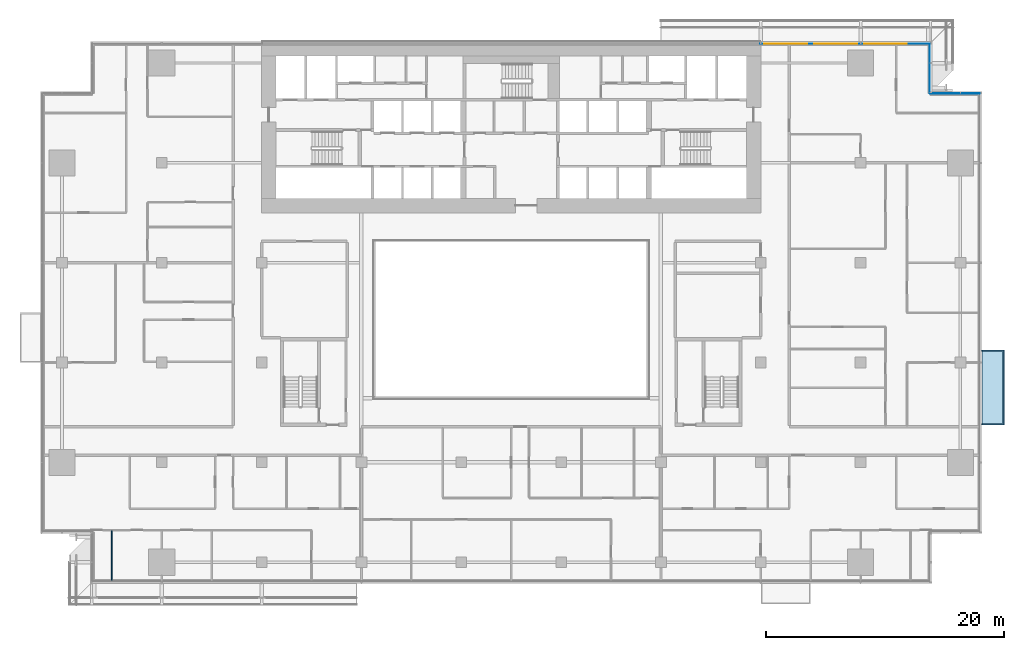
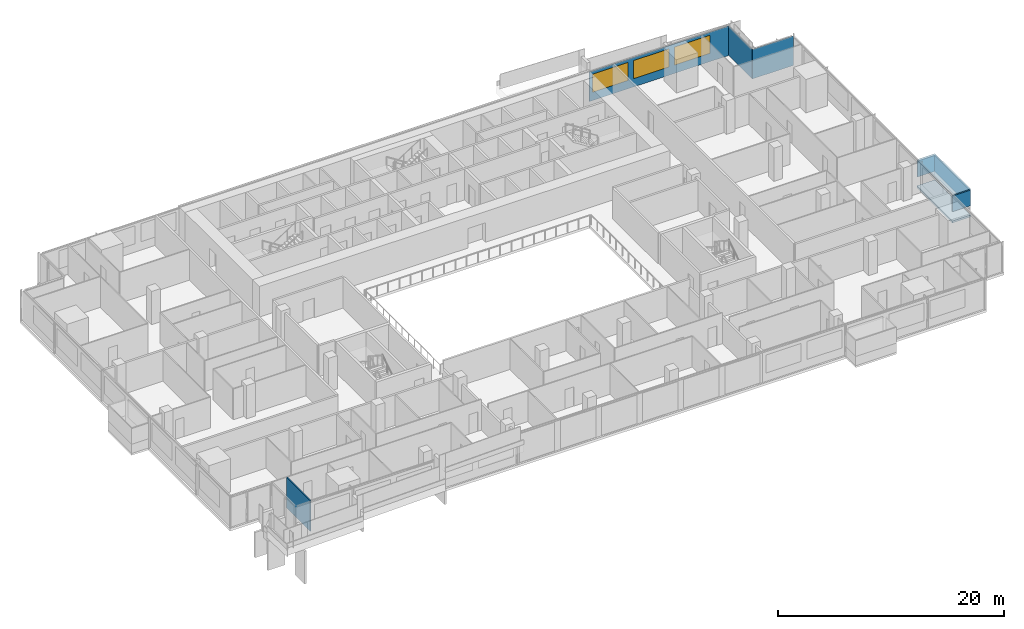
# One storey, part 16 of 29: 5 plates, 3 windows, 1 slab, 1 wall, 3 openings, 3 elements without a shape of their own.
"""IFC4 building model written with IfcOpenShell, lengths in metres."""

from ifc_helpers import new_model, si_unit, direction, frame, frame_2d, origin, place, context, subcontext, project, spatial, polyline, rectangle, outline, extrude, material, layer, layer_set, type_object, element, fill, aggregate, save


model = new_model("IFC4")

# Units and contexts
model_context = context("Model", 3, precision=1e-05, world=origin(), true_north=direction((0.0, 1.0)))
body_context = subcontext(model_context, "Body", "Model", "MODEL_VIEW")
ifc_project = project(units=[si_unit("LENGTHUNIT", "METRE"), si_unit("AREAUNIT", "SQUARE_METRE"), si_unit("VOLUMEUNIT", "CUBIC_METRE"), si_unit("PLANEANGLEUNIT", "RADIAN"), si_unit("MASSUNIT", "GRAM", prefix="KILO")], contexts=[model_context])

# Site, building, storey
site_placement = place(None, origin())
site = spatial("IfcSite", under=ifc_project, at=site_placement, CompositionType="ELEMENT")
building_placement = place(site_placement, origin())
building = spatial("IfcBuilding", under=site, at=building_placement, Name="Saffron Gate Tower", CompositionType="ELEMENT")
storey_placement = place(building_placement, frame((0.0, 0.0, 58.800048828125)))
storey = spatial("IfcBuildingStorey", under=building, at=storey_placement, Name="L13", CompositionType="ELEMENT", Elevation=58.800048828125)

# Curtain wall, plate, openings, windows
ifc_material_1 = material(Name="Aluminium, bronze anodised", Category="aluminium")
curtain_wall_type_1 = type_object("IfcCurtainWallType", Name="CWS3 curtain wall rear facade", PredefinedType="NOTDEFINED", material=ifc_material_1)
curtain_wall_1_placement = place(storey_placement, origin())
curtain_wall_1 = element("IfcCurtainWall", 1, at=curtain_wall_1_placement, inside=storey, type_object=curtain_wall_type_1, Name="CWS3 run 7", PredefinedType="NOTDEFINED")
ifc_material_2 = material(Name="Fritted grey-tinted laminated glass", Category="glass")
ifc_layer_1 = layer(ifc_material_2, 0.028076171875)
ifc_layer_set_1 = layer_set([ifc_layer_1], Name="CWS3 fixed glass")
plate_type_1 = type_object("IfcPlateType", Name="CWS3 fixed glass", PredefinedType="CURTAIN_PANEL", material=ifc_layer_set_1)
plate_1_placement = place(storey_placement, frame((122.81201171875, 75.426025390625, 0.0), z_axis=(0.0, 0.0, 1.0), x_axis=(-1.0, 0.0, 0.0)))
plate_1 = element("IfcPlate", 2, at=plate_1_placement, type_object=plate_type_1, Name="CWS3 glass panel", PredefinedType="CURTAIN_PANEL", context=body_context, shape_type="SweptSolid", body=[
    extrude(rectangle(XDim=14.2470703125, YDim=0.028076171875, at=frame_2d((7.12353515625, 0.0))), origin(), (0.0, 0.0, 1.0), 3.199951171875),
])
opening_1_placement = place(plate_1_placement, frame((1.912109375, 0.0, 0.89990234375)))
opening_1 = element("IfcOpeningElement", 3, at=opening_1_placement, cuts=plate_1, Name="Opening W1", PredefinedType="OPENING", context=body_context, shape_type="SweptSolid", body=[
    extrude(rectangle(XDim=3.60009765625, YDim=1.949951171875, at=frame_2d((1.800048828125, 0.97509765625))), frame((0.0, 0.02392578125, 0.0), z_axis=(0.0, -1.0, 0.0), x_axis=(1.0, 0.0, 0.0)), (0.0, 0.0, 1.0), 0.048095703125),
])
opening_2_placement = place(plate_1_placement, frame((6.112060546875, 0.0, 0.89990234375)))
opening_2 = element("IfcOpeningElement", 4, at=opening_2_placement, cuts=plate_1, Name="Opening W1", PredefinedType="OPENING", context=body_context, shape_type="SweptSolid", body=[
    extrude(rectangle(XDim=3.60009765625, YDim=1.949951171875, at=frame_2d((1.800048828125, 0.97509765625))), frame((0.0, 0.02392578125, 0.0), z_axis=(0.0, -1.0, 0.0), x_axis=(1.0, 0.0, 0.0)), (0.0, 0.0, 1.0), 0.048095703125),
])
opening_3_placement = place(plate_1_placement, frame((10.31201171875, 0.0, 0.89990234375)))
opening_3 = element("IfcOpeningElement", 5, at=opening_3_placement, cuts=plate_1, Name="Opening W1", PredefinedType="OPENING", context=body_context, shape_type="SweptSolid", body=[
    extrude(rectangle(XDim=3.60009765625, YDim=1.949951171875, at=frame_2d((1.800048828125, 0.97509765625))), frame((0.0, 0.02392578125, 0.0), z_axis=(0.0, -1.0, 0.0), x_axis=(1.0, 0.0, 0.0)), (0.0, 0.0, 1.0), 0.048095703125),
])
ifc_material_3 = material(Name="Fritted bronze-tinted laminated glass in bronze frame", Category="glass")
ifc_layer_2 = layer(ifc_material_3, 0.06005859375)
ifc_layer_set_2 = layer_set([ifc_layer_2], Name="W1 operable panel 3600x1950")
window_type = type_object("IfcWindowType", Name="W1 operable panel 3600x1950", PartitioningType="DOUBLE_PANEL_HORIZONTAL", PredefinedType="WINDOW", material=ifc_layer_set_2)
window_1_placement = place(opening_1_placement, origin())
window_1 = element("IfcWindow", 6, at=window_1_placement, type_object=window_type, Name="W1 operable panel", OverallHeight=1.949951171875, OverallWidth=3.60009765625, PartitioningType="SINGLE_PANEL", PredefinedType="WINDOW", context=body_context, shape_type="SweptSolid", body=[
    extrude(rectangle(XDim=3.60009765625, YDim=1.949951171875, at=frame_2d((1.800048828125, 0.97509765625))), frame((0.0, 0.013671875, 0.0), z_axis=(0.0, -1.0, 0.0), x_axis=(1.0, 0.0, 0.0)), (0.0, 0.0, 1.0), 0.027587890625),
])
fill(opening_1, window_1)
window_2_placement = place(opening_2_placement, origin())
window_2 = element("IfcWindow", 7, at=window_2_placement, type_object=window_type, Name="W1 operable panel", OverallHeight=1.949951171875, OverallWidth=3.60009765625, PartitioningType="SINGLE_PANEL", PredefinedType="WINDOW", context=body_context, shape_type="SweptSolid", body=[
    extrude(rectangle(XDim=3.60009765625, YDim=1.949951171875, at=frame_2d((1.800048828125, 0.97509765625))), frame((0.0, 0.013671875, 0.0), z_axis=(0.0, -1.0, 0.0), x_axis=(1.0, 0.0, 0.0)), (0.0, 0.0, 1.0), 0.027587890625),
])
fill(opening_2, window_2)
window_3_placement = place(opening_3_placement, origin())
window_3 = element("IfcWindow", 8, at=window_3_placement, type_object=window_type, Name="W1 operable panel", OverallHeight=1.949951171875, OverallWidth=3.60009765625, PartitioningType="SINGLE_PANEL", PredefinedType="WINDOW", context=body_context, shape_type="SweptSolid", body=[
    extrude(rectangle(XDim=3.60009765625, YDim=1.949951171875, at=frame_2d((1.800048828125, 0.97509765625))), frame((0.0, 0.013671875, 0.0), z_axis=(0.0, -1.0, 0.0), x_axis=(1.0, 0.0, 0.0)), (0.0, 0.0, 1.0), 0.027587890625),
])
fill(opening_3, window_3)
aggregate(curtain_wall_1, [plate_1, window_1, window_2, window_3])

# Curtain wall, plate
curtain_wall_type_2 = type_object("IfcCurtainWallType", Name="CWS4 curtain wall corner returns", PredefinedType="NOTDEFINED", material=ifc_material_1)
curtain_wall_2_placement = place(storey_placement, origin())
curtain_wall_2 = element("IfcCurtainWall", 9, at=curtain_wall_2_placement, inside=storey, type_object=curtain_wall_type_2, Name="CWS4 run 5", PredefinedType="NOTDEFINED")
ifc_material_4 = material(Name="Fritted bronze-tinted laminated glass", Category="glass")
ifc_layer_3 = layer(ifc_material_4, 0.028076171875)
ifc_layer_set_3 = layer_set([ifc_layer_3], Name="CWS4 fixed glass")
plate_type_2 = type_object("IfcPlateType", Name="CWS4 fixed glass", PredefinedType="CURTAIN_PANEL", material=ifc_layer_set_3)
plate_2_placement = place(storey_placement, frame((127.011962890625, 71.22607421875, 0.0), z_axis=(0.0, 0.0, 1.0), x_axis=(-1.0, 0.0, 0.0)))
plate_2 = element("IfcPlate", 10, at=plate_2_placement, type_object=plate_type_2, Name="CWS4 glass panel", PredefinedType="CURTAIN_PANEL", context=body_context, shape_type="SweptSolid", body=[
    extrude(rectangle(XDim=4.171875, YDim=0.028076171875, at=frame_2d((2.0859375, 0.0))), origin(), (0.0, 0.0, 1.0), 3.199951171875),
])
aggregate(curtain_wall_2, [plate_2])

curtain_wall_3_placement = place(storey_placement, origin())
curtain_wall_3 = element("IfcCurtainWall", 11, at=curtain_wall_3_placement, inside=storey, type_object=curtain_wall_type_2, Name="CWS4 run 6", PredefinedType="NOTDEFINED")
plate_3_placement = place(storey_placement, frame((122.825927734375, 71.239990234375, 0.0), z_axis=(0.0, 0.0, 1.0), x_axis=(0.0, 1.0, 0.0)))
plate_3 = element("IfcPlate", 12, at=plate_3_placement, type_object=plate_type_2, Name="CWS4 glass panel", PredefinedType="CURTAIN_PANEL", context=body_context, shape_type="SweptSolid", body=[
    extrude(rectangle(XDim=4.172119140625, YDim=0.028076171875, at=frame_2d((2.0859375, 0.0))), origin(), (0.0, 0.0, 1.0), 3.199951171875),
])
aggregate(curtain_wall_3, [plate_3])

# Slab
ifc_material_5 = material(Name="Timber deck on bronze frame", Category="wood")
ifc_layer_4 = layer(ifc_material_5, 0.199951171875)
ifc_layer_set_4 = layer_set([ifc_layer_4], Name="WB1 box floor")
slab_type = type_object("IfcSlabType", Name="WB1 box floor", PredefinedType="FLOOR", material=ifc_layer_set_4)
slab_placement = place(storey_placement, frame((0.0, 0.0, -0.199951171875)))
element("IfcSlab", 13, at=slab_placement, inside=storey, type_object=slab_type, Name="WINDOW BOX floor", PredefinedType="FLOOR", context=body_context, shape_type="SweptSolid", body=[
    extrude(outline(polyline([(127.199951171875, 43.35009765625), (127.199951171875, 49.64990234375), (129.06689453125, 49.64990234375), (129.06689453125, 43.35009765625), (127.199951171875, 43.35009765625)])), origin(), (0.0, 0.0, 1.0), 0.199951171875),
])

# Plates
ifc_layer_5 = layer(ifc_material_1, 0.1201171875)
ifc_layer_set_5 = layer_set([ifc_layer_5], Name="WB2 box roof")
plate_type_3 = type_object("IfcPlateType", Name="WB2 box roof", PredefinedType="SHEET", material=ifc_layer_set_5)
plate_4_placement = place(storey_placement, frame((0.0, 0.0, 2.699951171875)))
element("IfcPlate", 14, at=plate_4_placement, inside=storey, type_object=plate_type_3, Name="WINDOW BOX roof", PredefinedType="SHEET", context=body_context, shape_type="SweptSolid", body=[
    extrude(outline(polyline([(127.199951171875, 43.35009765625), (127.199951171875, 49.64990234375), (129.06689453125, 49.64990234375), (129.06689453125, 43.35009765625), (127.199951171875, 43.35009765625)])), origin(), (0.0, 0.0, 1.0), 0.1201171875),
])
ifc_material_6 = material(Name="Clear low-iron laminated glass", Category="glass")
ifc_layer_6 = layer(ifc_material_6, 0.10009765625)
ifc_layer_set_6 = layer_set([ifc_layer_6], Name="WB6 box glazing")
plate_type_4 = type_object("IfcPlateType", Name="WB6 box glazing", PredefinedType="SHEET", material=ifc_layer_set_6)
plate_5_placement = place(storey_placement, frame((0.0, 0.0, 1.0)))
element("IfcPlate", 15, at=plate_5_placement, inside=storey, type_object=plate_type_4, Name="WINDOW BOX glazing", PredefinedType="SHEET", context=body_context, shape_type="SweptSolid", body=[
    extrude(outline(polyline([(127.199951171875, 43.35009765625), (127.199951171875, 43.449951171875), (128.967041015625, 43.449951171875), (128.967041015625, 49.550048828125), (127.199951171875, 49.550048828125), (127.199951171875, 49.64990234375), (129.06689453125, 49.64990234375), (129.06689453125, 43.35009765625), (127.199951171875, 43.35009765625)])), origin(), (0.0, 0.0, 1.0), 1.699951171875),
])

# Wall
ifc_material_7 = material(Name="Plasterboard on steel studs", Category="steel")
ifc_layer_7 = layer(ifc_material_7, 0.10009765625)
ifc_layer_set_7 = layer_set([ifc_layer_7], Name="PW1 Partition 100")
wall_type = type_object("IfcWallType", Name="PW1 Partition 100", PredefinedType="PARTITIONING", material=ifc_layer_set_7)
wall_placement = place(storey_placement, frame((54.0, 34.449951171875, 0.0), z_axis=(0.0, 0.0, 1.0), x_axis=(0.0, -1.0, 0.0)))
element("IfcWall", 16, at=wall_placement, inside=storey, type_object=wall_type, Name="Partition A3-51", PredefinedType="PARTITIONING", context=body_context, shape_type="SweptSolid", body=[
    extrude(rectangle(XDim=4.169921875, YDim=0.10009765625, at=frame_2d((2.0849609375, 0.0))), origin(), (0.0, 0.0, 1.0), 3.320068359375),
])

save(model, "model.ifc")
